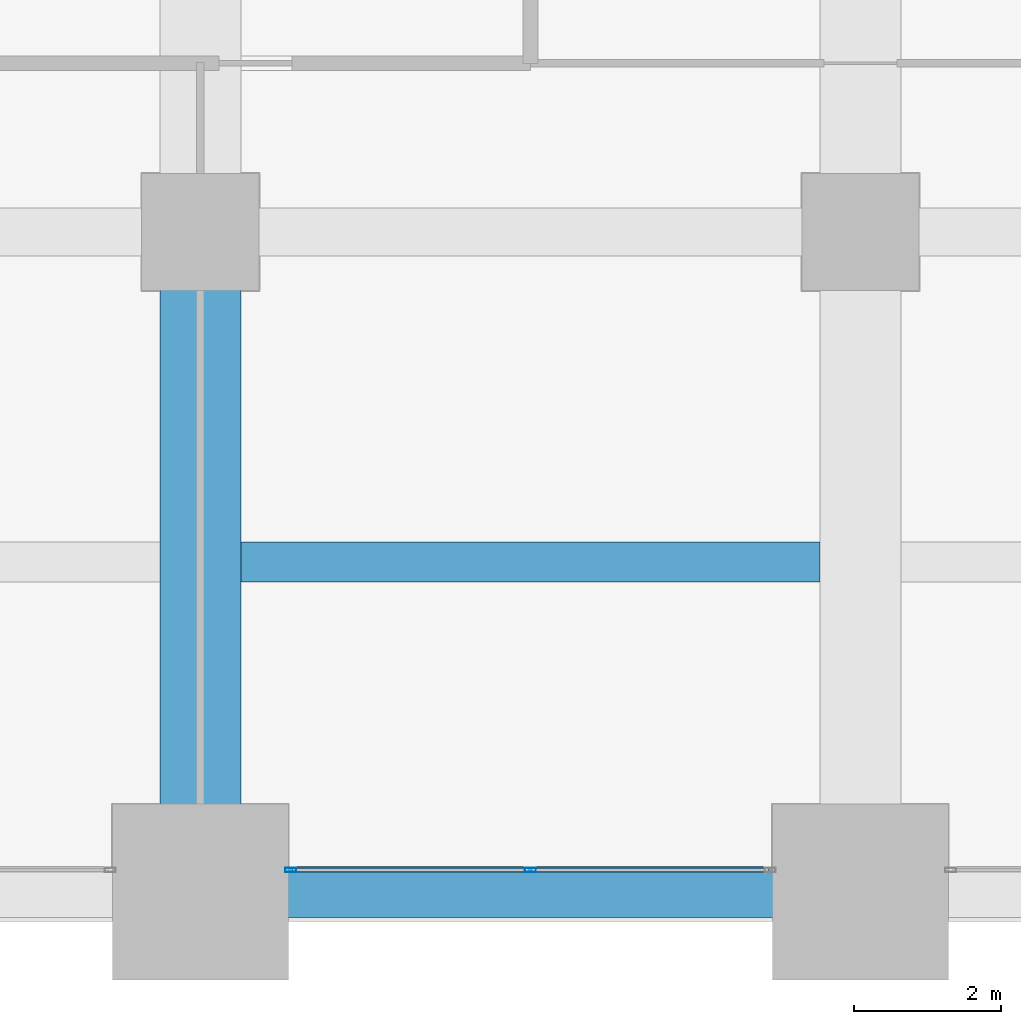
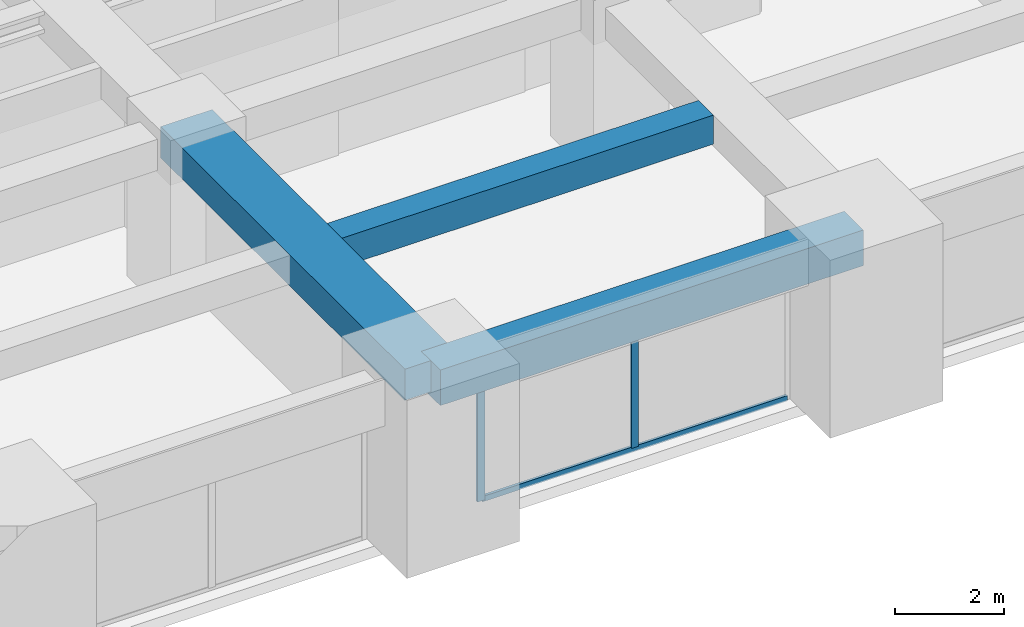
# One storey, part 7 of 33: 3 beams, 3 members, 1 element without a shape of its own.
"""IFC4 building model written with IfcOpenShell, lengths in metres."""

import ifcopenshell
import ifcopenshell.guid

model = None  # the IFC model being written
_history = None  # IfcOwnerHistory: only IFC2X3 demands one
_inside = {}  # id of a spatial element -> (the spatial element, [elements in it])
_under = {}  # id of a project, library or spatial element -> (it, [spatial elements below it])
_declared = {}  # id of a project -> (the project, [libraries it declares])
_typed = {}  # id of a type object -> (the type object, [elements of that type])
_made_of = {}  # id of a material, layer set ... -> (it, [elements and type objects made of it])


def new_model(schema):
    """Start an empty IFC model of exactly this schema.

    Asked for "IFC4X3", IfcOpenShell would pick the latest addendum, in which some entities
    have other attributes; the version numbers below select the first issue.
    IFC2X3 requires an IfcOwnerHistory on every rooted entity: one is made here for all.
    """
    global model, _history
    if schema == "IFC4X3":
        model = ifcopenshell.file(schema_version=(4, 3, 0, 0))
    else:
        model = ifcopenshell.file(schema=schema)
    _inside.clear()
    _under.clear()
    _declared.clear()
    _typed.clear()
    _made_of.clear()
    _history = None
    if model.schema == "IFC2X3":
        org = make("IfcOrganization", Name="unknown")
        user = make(
            "IfcPersonAndOrganization",
            ThePerson=make("IfcPerson", FamilyName="unknown"),
            TheOrganization=org,
        )
        app = make(
            "IfcApplication",
            ApplicationDeveloper=org,
            Version="unknown",
            ApplicationFullName="unknown",
            ApplicationIdentifier="unknown",
        )
        _history = make(
            "IfcOwnerHistory",
            OwningUser=user,
            OwningApplication=app,
            ChangeAction="ADDED",
            CreationDate=0,
        )
    return model


def make(cls, **values):
    """One entity of the class cls with the attributes given. An attribute that is None is left unset."""
    return model.create_entity(
        cls, **{name: value for name, value in values.items() if value is not None}
    )


def rooted(cls, **values):
    """An entity with a GlobalId (a new one), such as an element, a storey or a relation."""
    return make(cls, GlobalId=ifcopenshell.guid.new(), OwnerHistory=_history, **values)


def si_unit(unit_type, name, prefix=None):
    """IfcSIUnit, for example si_unit("LENGTHUNIT", "METRE", prefix="MILLI")."""
    return make("IfcSIUnit", UnitType=unit_type, Prefix=prefix, Name=name)


def assignment(units):
    """IfcUnitAssignment: the units of a project."""
    return None if units is None else make("IfcUnitAssignment", Units=units)


def point(xyz):
    """IfcCartesianPoint."""
    return None if xyz is None else make("IfcCartesianPoint", Coordinates=xyz)


def direction(xyz):
    """IfcDirection."""
    return None if xyz is None else make("IfcDirection", DirectionRatios=xyz)


def frame(location, z_axis=None, x_axis=None):
    """IfcAxis2Placement3D, a coordinate frame: its origin and axes. An axis left out is left unset."""
    return make(
        "IfcAxis2Placement3D",
        Location=point(location),
        Axis=direction(z_axis),
        RefDirection=direction(x_axis),
    )


def frame_2d(location, x_axis=None):
    """IfcAxis2Placement2D, a coordinate frame in the plane: its origin and x axis."""
    return make(
        "IfcAxis2Placement2D", Location=point(location), RefDirection=direction(x_axis)
    )


def origin():
    """The frame at (0, 0, 0) with its axes left unset."""
    return frame((0.0, 0.0, 0.0))


def origin_2d():
    """The frame at (0, 0) in the plane with its x axis left unset."""
    return frame_2d((0.0, 0.0))


def place(relative_to, where):
    """IfcLocalPlacement: puts the frame where relative to a parent placement (None: the world)."""
    return make(
        "IfcLocalPlacement", PlacementRelTo=relative_to, RelativePlacement=where
    )


def context(
    kind, dimensions, precision=None, world=None, true_north=None, identifier=None
):
    """IfcGeometricRepresentationContext, for example the 3D "Model" context."""
    return make(
        "IfcGeometricRepresentationContext",
        ContextIdentifier=identifier,
        ContextType=kind,
        CoordinateSpaceDimension=dimensions,
        Precision=precision,
        WorldCoordinateSystem=world,
        TrueNorth=true_north,
    )


def subcontext(parent, identifier, kind, view, scale=None):
    """IfcGeometricRepresentationSubContext, for example "Body" below "Model"."""
    return make(
        "IfcGeometricRepresentationSubContext",
        ContextIdentifier=identifier,
        ContextType=kind,
        ParentContext=parent,
        TargetScale=scale,
        TargetView=view,
    )


def project(units=None, contexts=None):
    """IfcProject with its units and contexts."""
    return rooted(
        "IfcProject",
        Name="project",
        RepresentationContexts=contexts,
        UnitsInContext=assignment(units),
    )


def spatial(cls, under=None, at=None, **own):
    """A site, building, storey or space (cls), placed at a placement, below another one or the project."""
    s = rooted(cls, ObjectPlacement=at, **own)
    if under is not None:
        _under.setdefault(under.id(), (under, []))[1].append(s)
    return s


def profile(cls, at=None, kind="AREA", **sizes):
    """A parametric profile (cls). Its sizes go by their IFC names, for example OverallWidth=200.0."""
    return make(cls, ProfileType=kind, Position=at, **sizes)


def rectangle(**sizes):
    """IfcRectangleProfileDef."""
    return profile("IfcRectangleProfileDef", **sizes)


def hollow_rectangle(**sizes):
    """IfcRectangleHollowProfileDef."""
    return profile("IfcRectangleHollowProfileDef", **sizes)


def extrude(swept, where, along, depth):
    """IfcExtrudedAreaSolid: the profile swept, set in the frame where, extruded along a direction by depth."""
    return make(
        "IfcExtrudedAreaSolid",
        SweptArea=swept,
        Position=where,
        ExtrudedDirection=direction(along),
        Depth=depth,
    )


def shape(context_of_items, identifier, shape_type, items):
    """IfcShapeRepresentation: the items that make up one representation, for example the "Body"."""
    return make(
        "IfcShapeRepresentation",
        ContextOfItems=context_of_items,
        RepresentationIdentifier=identifier,
        RepresentationType=shape_type,
        Items=items,
    )


def material(Name=None, Category=None):
    """IfcMaterial."""
    return make("IfcMaterial", Name=Name, Category=Category)


def material_profile(
    of_material, cross_section, Name=None, Category=None, Priority=None
):
    """IfcMaterialProfile: a cross section and its material."""
    return make(
        "IfcMaterialProfile",
        Name=Name,
        Material=of_material,
        Profile=cross_section,
        Priority=Priority,
        Category=Category,
    )


def profile_set(profiles, Name=None, composite=None):
    """IfcMaterialProfileSet."""
    return make(
        "IfcMaterialProfileSet",
        Name=Name,
        MaterialProfiles=profiles,
        CompositeProfile=composite,
    )


def made_of(thing, what):
    """Note that an element or type object is made of a material, layer set ...; save() writes the relation."""
    if what is not None:
        _made_of.setdefault(what.id(), (what, []))[1].append(thing)
    return thing


def type_object(cls, material=None, **own):
    """A type object (cls), such as IfcWallType, which elements share."""
    return made_of(rooted(cls, **own), material)


def element(
    cls,
    number,
    at=None,
    inside=None,
    cuts=None,
    type_object=None,
    material=None,
    context=None,
    identifier="Body",
    shape_type=None,
    held_by="IfcProductDefinitionShape",
    body=None,
    shapes=None,
    **own,
):
    """One element of the class cls, such as IfcWall. Its Tag is "e" and its number.

    at: its placement. inside: the storey or other place that contains it. cuts: it is an
    opening in that element (IfcRelVoidsElement). A single representation is given by context,
    identifier, shape_type and body (its items); several are given by shapes. held_by: the class
    of the entity that holds the representations. save() writes the other relations.
    """
    e = rooted(cls, Tag="e%d" % number, ObjectPlacement=at, **own)
    if body is not None:
        shapes = [shape(context, identifier, shape_type, body)]
    if shapes is not None:
        e.Representation = make(held_by, Representations=shapes)
    if inside is not None:
        _inside.setdefault(inside.id(), (inside, []))[1].append(e)
    if cuts is not None:
        rooted(
            "IfcRelVoidsElement", RelatingBuildingElement=cuts, RelatedOpeningElement=e
        )
    if type_object is not None:
        _typed.setdefault(type_object.id(), (type_object, []))[1].append(e)
    return made_of(e, material)


def aggregate(whole, parts):
    """IfcRelAggregates: a whole, such as a stair, and the parts it consists of."""
    return rooted("IfcRelAggregates", RelatingObject=whole, RelatedObjects=parts)


def save(model, path):
    """Write the relations noted so far, then the file.

    IfcRelAggregates (storeys below a building ...), IfcRelContainedInSpatialStructure (elements
    in a storey), IfcRelDefinesByType, IfcRelAssociatesMaterial and IfcRelDeclares: one each for
    every whole, place, type object, material and project.
    """
    for whole, parts in _under.values():
        aggregate(whole, parts)
    for where, things in _inside.values():
        rooted(
            "IfcRelContainedInSpatialStructure",
            RelatedElements=things,
            RelatingStructure=where,
        )
    for kind, things in _typed.values():
        rooted("IfcRelDefinesByType", RelatedObjects=things, RelatingType=kind)
    for what, things in _made_of.values():
        rooted("IfcRelAssociatesMaterial", RelatedObjects=things, RelatingMaterial=what)
    for by, libraries in _declared.values():
        rooted("IfcRelDeclares", RelatingContext=by, RelatedDefinitions=libraries)
    model.write(path)


model = new_model("IFC4")

# Units and contexts
model_context = context("Model", 3, precision=1e-05, world=origin(), true_north=direction((0.0, 1.0)))
body_context = subcontext(model_context, "Body", "Model", "MODEL_VIEW")
ifc_project = project(units=[si_unit("LENGTHUNIT", "METRE"), si_unit("AREAUNIT", "SQUARE_METRE"), si_unit("VOLUMEUNIT", "CUBIC_METRE"), si_unit("PLANEANGLEUNIT", "RADIAN"), si_unit("MASSUNIT", "GRAM", prefix="KILO")], contexts=[model_context])

# Site, building, storey
site_placement = place(None, origin())
site = spatial("IfcSite", under=ifc_project, at=site_placement, CompositionType="ELEMENT")
building_placement = place(site_placement, origin())
building = spatial("IfcBuilding", under=site, at=building_placement, Name="Zorevar Civic Tower", CompositionType="ELEMENT")
storey_placement = place(building_placement, frame((0.0, 0.0, 194.199951171875)))
storey = spatial("IfcBuildingStorey", under=building, at=storey_placement, Name="L47", CompositionType="ELEMENT", Elevation=194.199951171875)

# Beams
ifc_material_1 = material(Name="Concrete C50/60", Category="concrete")
ifc_material_profile_1 = material_profile(ifc_material_1, rectangle(XDim=1.10009765625, YDim=0.699951171875, at=origin_2d()), Name="RC 1100x700")
ifc_profile_set_1 = profile_set([ifc_material_profile_1], Name="Concrete C50/60")
beam_type_1 = type_object("IfcBeamType", Name="Beam RC 1100x700", PredefinedType="BEAM", material=ifc_profile_set_1)
beam_1_placement = place(storey_placement, frame((27.0, 0.0, 3.400146484375), z_axis=(0.0, 1.0, 0.0), x_axis=(-1.0, 0.0, 0.0)))
element("IfcBeam", 1, at=beam_1_placement, inside=storey, type_object=beam_type_1, Name="Girder L48", PredefinedType="BEAM", context=body_context, shape_type="SweptSolid", body=[
    extrude(rectangle(XDim=1.10009765625, YDim=0.699951171875, at=origin_2d()), origin(), (0.0, 0.0, 1.0), 9.0),
])
ifc_material_2 = material(Name="Concrete C50/60", Category="concrete")
ifc_material_profile_2 = material_profile(ifc_material_2, rectangle(XDim=0.550048828125, YDim=0.64990234375, at=origin_2d()), Name="RC 550x650")
ifc_profile_set_2 = profile_set([ifc_material_profile_2], Name="Concrete C50/60")
beam_type_2 = type_object("IfcBeamType", Name="Beam RC 550x650", PredefinedType="BEAM", material=ifc_profile_set_2)
beam_2_placement = place(storey_placement, frame((27.550048828125, 4.5, 3.425048828125), z_axis=(1.0, 0.0, 0.0), x_axis=(0.0, 1.0, 0.0)))
element("IfcBeam", 2, at=beam_2_placement, inside=storey, type_object=beam_type_2, Name="Secondary beam L48", PredefinedType="BEAM", context=body_context, shape_type="SweptSolid", body=[
    extrude(rectangle(XDim=0.550048828125, YDim=0.64990234375, at=origin_2d()), origin(), (0.0, 0.0, 1.0), 7.89990234375),
])

# Curtain wall, members
ifc_material_3 = material(Name="Dark grey solar-control glass in black aluminium frame", Category="aluminium")
curtain_wall_type = type_object("IfcCurtainWallType", Name="Curtain wall CW4 high zone", PredefinedType="NOTDEFINED", material=ifc_material_3)
curtain_wall_placement = place(storey_placement, origin())
curtain_wall = element("IfcCurtainWall", 3, at=curtain_wall_placement, inside=storey, type_object=curtain_wall_type, Name="CW4 L47", PredefinedType="NOTDEFINED")
ifc_material_4 = material(Name="Aluminium, black anodised", Category="aluminium")
ifc_material_profile_3 = material_profile(ifc_material_4, hollow_rectangle(XDim=0.06005859375, YDim=0.14990234375, WallThickness=0.00390625, at=origin_2d()), Name="AL 150x60x4")
ifc_profile_set_3 = profile_set([ifc_material_profile_3], Name="Aluminium, black anodised")
member_type_1 = type_object("IfcMemberType", Name="CW4 mullion AL 150x60x4", PredefinedType="MULLION", material=ifc_profile_set_3)
member_1_placement = place(storey_placement, frame((28.22998046875, 0.300048828125, 0.0), z_axis=(0.0, 0.0, 1.0), x_axis=(0.0, 1.0, 0.0)))
member_1 = element("IfcMember", 4, at=member_1_placement, type_object=member_type_1, Name="CW4 mullion 1", PredefinedType="MULLION", context=body_context, shape_type="SweptSolid", body=[
    extrude(hollow_rectangle(XDim=0.06005859375, YDim=0.14990234375, WallThickness=0.00390625, at=origin_2d()), origin(), (0.0, 0.0, 1.0), 2.949951171875),
])
member_2_placement = place(storey_placement, frame((31.5, 0.300048828125, 0.06005859375), z_axis=(0.0, 0.0, 1.0), x_axis=(0.0, 1.0, 0.0)))
member_2 = element("IfcMember", 5, at=member_2_placement, type_object=member_type_1, Name="CW4 mullion 2", PredefinedType="MULLION", context=body_context, shape_type="SweptSolid", body=[
    extrude(hollow_rectangle(XDim=0.06005859375, YDim=0.14990234375, WallThickness=0.00390625, at=origin_2d()), origin(), (0.0, 0.0, 1.0), 2.889892578125),
])
ifc_material_5 = material(Name="Aluminium, black anodised", Category="aluminium")
ifc_material_profile_4 = material_profile(ifc_material_5, hollow_rectangle(XDim=0.06005859375, YDim=0.1201171875, WallThickness=0.0029296875, at=origin_2d()), Name="AL 120x60x3")
ifc_profile_set_4 = profile_set([ifc_material_profile_4], Name="Aluminium, black anodised")
member_type_2 = type_object("IfcMemberType", Name="CW4 transom AL 120x60x3", PredefinedType="USERDEFINED", material=ifc_profile_set_4)
member_3_placement = place(storey_placement, frame((28.260009765625, 0.300048828125, 0.030029296875), z_axis=(1.0, 0.0, 0.0), x_axis=(0.0, 1.0, 0.0)))
member_3 = element("IfcMember", 6, at=member_3_placement, type_object=member_type_2, Name="CW4 sill transom", ObjectType="TRANSOM", PredefinedType="USERDEFINED", context=body_context, shape_type="SweptSolid", body=[
    extrude(hollow_rectangle(XDim=0.06005859375, YDim=0.1201171875, WallThickness=0.0029296875, at=origin_2d()), origin(), (0.0, 0.0, 1.0), 6.47998046875),
])
aggregate(curtain_wall, [member_1, member_2, member_3])

# Beam
ifc_material_6 = material(Name="Concrete C50/60", Category="concrete")
ifc_material_profile_5 = material_profile(ifc_material_6, rectangle(XDim=0.699951171875, YDim=0.800048828125, at=origin_2d()), Name="RC 700x800")
ifc_profile_set_5 = profile_set([ifc_material_profile_5], Name="Concrete C50/60")
beam_type_3 = type_object("IfcBeamType", Name="Edge beam RC 700x800", PredefinedType="SPANDREL", material=ifc_profile_set_5)
beam_3_placement = place(storey_placement, frame((27.0, 0.0, 3.35009765625), z_axis=(1.0, 0.0, 0.0), x_axis=(0.0, 1.0, 0.0)))
element("IfcBeam", 7, at=beam_3_placement, inside=storey, type_object=beam_type_3, Name="Edge beam L48", PredefinedType="SPANDREL", context=body_context, shape_type="SweptSolid", body=[
    extrude(rectangle(XDim=0.699951171875, YDim=0.800048828125, at=origin_2d()), origin(), (0.0, 0.0, 1.0), 9.0),
])

save(model, "model.ifc")
